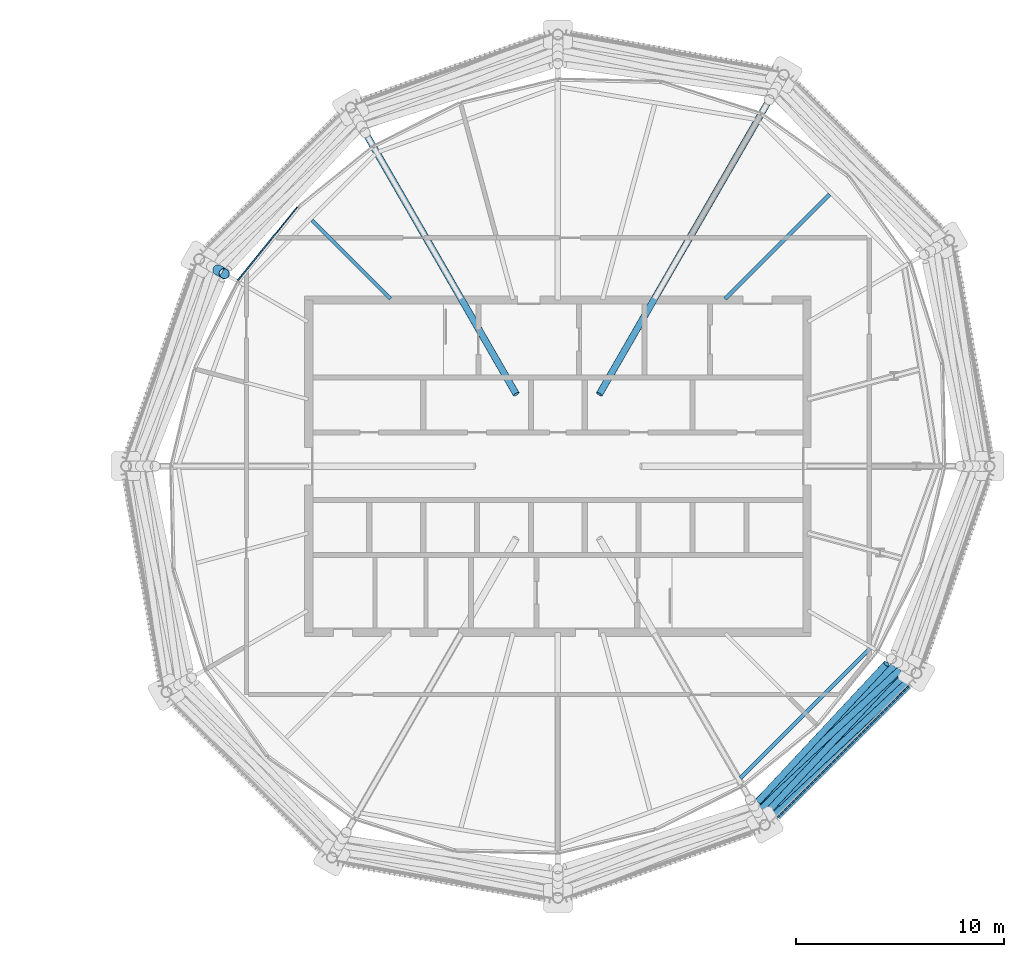
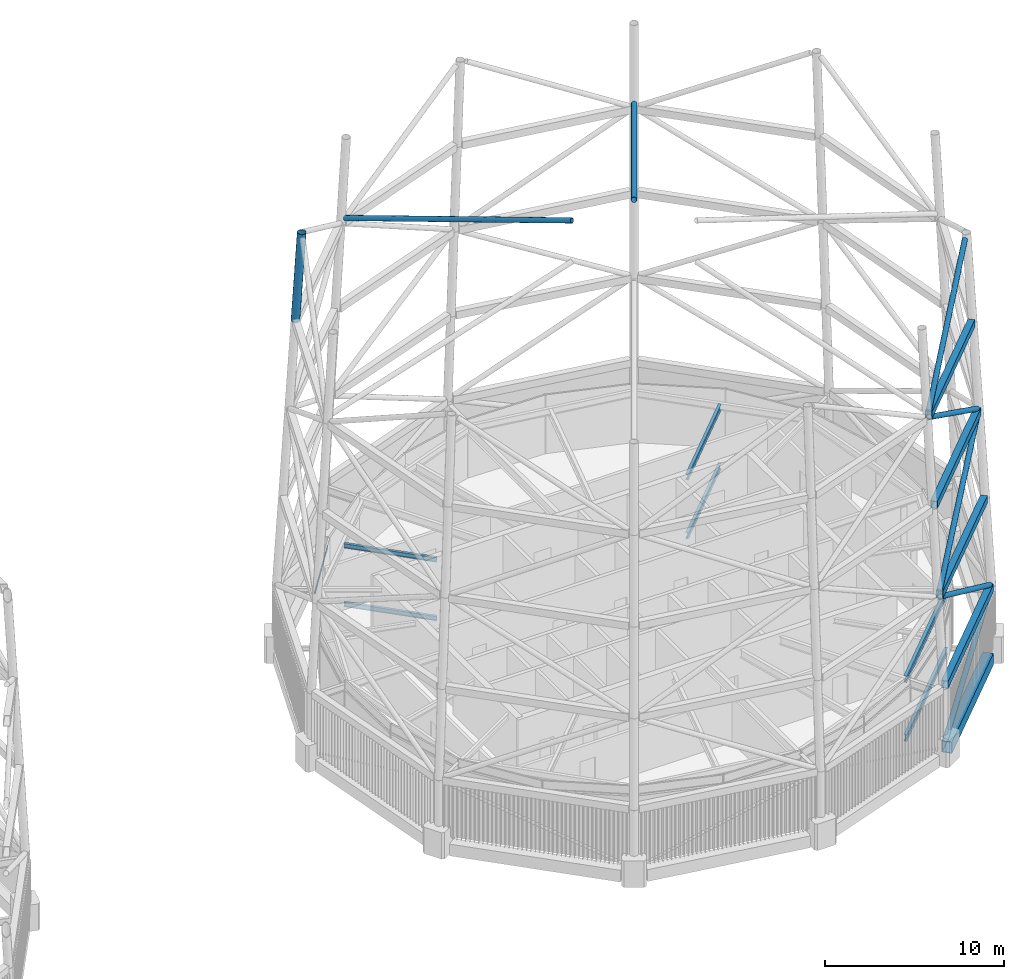
# One storey, part 48 of 71: 11 beams, 9 members, 1 element without a shape of its own.
"""IFC4 building model written with IfcOpenShell, lengths in metres."""

from ifc_helpers import new_model, si_unit, direction, frame, origin, origin_2d, place, context, subcontext, project, spatial, rectangle, hollow_rectangle, hollow_circle, i_section, extrude, material, material_profile, profile_set, type_object, element, aggregate, save


model = new_model("IFC4")

# Units and contexts
model_context = context("Model", 3, precision=1e-05, world=origin(), true_north=direction((0.0, 1.0)))
body_context = subcontext(model_context, "Body", "Model", "MODEL_VIEW")
ifc_project = project(units=[si_unit("LENGTHUNIT", "METRE"), si_unit("AREAUNIT", "SQUARE_METRE"), si_unit("VOLUMEUNIT", "CUBIC_METRE"), si_unit("PLANEANGLEUNIT", "RADIAN"), si_unit("MASSUNIT", "GRAM", prefix="KILO")], contexts=[model_context])

# Site, building, storey
site_placement = place(None, origin())
site = spatial("IfcSite", under=ifc_project, at=site_placement, CompositionType="ELEMENT")
building_placement = place(site_placement, origin())
building = spatial("IfcBuilding", under=site, at=building_placement, Name="Rimbun Link Towers", CompositionType="ELEMENT")
storey_placement = place(building_placement, frame((0.0, 0.0, 267.60009765625)))
storey = spatial("IfcBuildingStorey", under=building, at=storey_placement, Name="L65", CompositionType="ELEMENT", Elevation=267.60009765625)

# Curtain wall, member
ifc_material_1 = material(Name="Aluminium 6063-T6 louvre wall", Category="aluminium")
curtain_wall_type = type_object("IfcCurtainWallType", Name="CW6 plant floor louvre wall", PredefinedType="NOTDEFINED", material=ifc_material_1)
curtain_wall_placement = place(storey_placement, origin())
curtain_wall = element("IfcCurtainWall", 1, at=curtain_wall_placement, inside=storey, type_object=curtain_wall_type, Name="CW6 L65 T2", PredefinedType="NOTDEFINED")
ifc_material_2 = material(Name="Aluminium 6063-T6", Category="aluminium")
ifc_material_profile_1 = material_profile(ifc_material_2, rectangle(XDim=0.06005859375, YDim=0.1201171875, at=origin_2d()), Name="TRANSOM 60X120")
ifc_profile_set_1 = profile_set([ifc_material_profile_1], Name="Aluminium 6063-T6")
member_type_1 = type_object("IfcMemberType", Name="CW6 transom 60X120", PredefinedType="USERDEFINED", material=ifc_profile_set_1)
member_1_placement = place(storey_placement, frame((16.342529296875, 8.953125, 3.39990234375), z_axis=(0.629178141776, 0.777261131095, 0.0), x_axis=(-0.777261131095, 0.629178141776, 0.0)))
member_1 = element("IfcMember", 2, at=member_1_placement, type_object=member_type_1, Name="CW6 transom", ObjectType="TRANSOM", PredefinedType="USERDEFINED", context=body_context, shape_type="SweptSolid", body=[
    extrude(rectangle(XDim=0.06005859375, YDim=0.1201171875, at=origin_2d()), origin(), (0.0, 0.0, 1.0), 4.54541015625),
])
aggregate(curtain_wall, [member_1])

# Members
ifc_material_3 = material(Name="Steel S355J2H", Category="steel")
ifc_material_profile_2 = material_profile(ifc_material_3, hollow_circle(Radius=0.161865234375, WallThickness=0.011962890625, at=origin_2d()), Name="Crown frame brace CHS 324x12")
ifc_profile_set_2 = profile_set([ifc_material_profile_2], Name="Steel S355J2H")
member_type_2 = type_object("IfcMemberType", Name="Crown frame brace CHS 324x12", PredefinedType="BRACE", material=ifc_profile_set_2)
member_2_placement = place(storey_placement, frame((41.98681640625, -17.010009765625, 0.144287109375), z_axis=(0.659349152723, 0.659349152723, 0.361271905365), x_axis=(-0.707106781187, 0.707106781187, 0.0)))
element("IfcMember", 3, at=member_2_placement, inside=storey, type_object=member_type_2, Name="CROWN FRAME brace T2 1-08", PredefinedType="BRACE", context=body_context, shape_type="SweptSolid", body=[
    extrude(hollow_circle(Radius=0.161865234375, WallThickness=0.011962890625, at=origin_2d()), origin(), (0.0, 0.0, 1.0), 10.2724609375),
])
member_3_placement = place(storey_placement, frame((48.771728515625, -10.208740234375, 4.2021484375), z_axis=(-0.629887100253, -0.589631323604, 0.50554638082), x_axis=(0.68339326955, -0.730050436021, 0.0)))
element("IfcMember", 4, at=member_3_placement, inside=storey, type_object=member_type_2, Name="CROWN FRAME brace T2 2-08", PredefinedType="BRACE", context=body_context, shape_type="SweptSolid", body=[
    extrude(hollow_circle(Radius=0.161865234375, WallThickness=0.011962890625, at=origin_2d()), origin(), (0.0, 0.0, 1.0), 11.068115234375),
])
member_4_placement = place(storey_placement, frame((41.78271484375, -16.7197265625, 10.204833984375), z_axis=(0.586508399957, 0.627361512233, 0.512274760016), x_axis=(-0.730491058485, 0.682922260197, 0.0)))
element("IfcMember", 5, at=member_4_placement, inside=storey, type_object=member_type_2, Name="CROWN FRAME brace T2 3-08", PredefinedType="BRACE", context=body_context, shape_type="SweptSolid", body=[
    extrude(hollow_circle(Radius=0.161865234375, WallThickness=0.011962890625, at=origin_2d()), origin(), (0.0, 0.0, 1.0), 10.912353515625),
])
member_5_placement = place(storey_placement, frame((48.16748046875, -9.856201171875, 16.20751953125), z_axis=(-0.624656366014, -0.583327323304, 0.519166310815), x_axis=(0.682515022329, -0.730871564842, 0.0)))
element("IfcMember", 6, at=member_5_placement, inside=storey, type_object=member_type_2, Name="CROWN FRAME brace T2 4-08", PredefinedType="BRACE", context=body_context, shape_type="SweptSolid", body=[
    extrude(hollow_circle(Radius=0.161865234375, WallThickness=0.011962890625, at=origin_2d()), origin(), (0.0, 0.0, 1.0), 10.757080078125),
])
member_6_placement = place(storey_placement, frame((41.429931640625, -16.115478515625, 22.21044921875), z_axis=(0.579987642774, 0.621895595364, 0.526175068486), x_axis=(-0.731318145522, 0.682036487316, 0.0)))
element("IfcMember", 7, at=member_6_placement, inside=storey, type_object=member_type_2, Name="CROWN FRAME brace T2 5-08", PredefinedType="BRACE", context=body_context, shape_type="SweptSolid", body=[
    extrude(hollow_circle(Radius=0.161865234375, WallThickness=0.011962890625, at=origin_2d()), origin(), (0.0, 0.0, 1.0), 10.602783203125),
])
member_7_placement = place(storey_placement, frame((33.75, 3.464111328125, 27.39990234375), z_axis=(0.478779219465, 0.829273641981, -0.288228530379), x_axis=(-0.866026371934, 0.499998323111, 0.0)))
element("IfcMember", 8, at=member_7_placement, inside=storey, type_object=member_type_2, Name="CROWN FRAME hub stay T2 00", PredefinedType="BRACE", context=body_context, shape_type="SweptSolid", body=[
    extrude(hollow_circle(Radius=0.161865234375, WallThickness=0.011962890625, at=origin_2d()), origin(), (0.0, 0.0, 1.0), 17.173583984375),
])
member_8_placement = place(storey_placement, frame((29.75, 3.464111328125, 27.39990234375), z_axis=(-0.473598671188, 0.820297063954, -0.320650940304), x_axis=(-0.866025430986, -0.499999952886, 0.0)))
element("IfcMember", 9, at=member_8_placement, inside=storey, type_object=member_type_2, Name="CROWN FRAME hub stay T2 02", PredefinedType="BRACE", context=body_context, shape_type="SweptSolid", body=[
    extrude(hollow_circle(Radius=0.161865234375, WallThickness=0.011962890625, at=origin_2d()), origin(), (0.0, 0.0, 1.0), 15.437255859375),
])
ifc_material_4 = material(Name="Steel S355J2H", Category="steel")
ifc_material_profile_3 = material_profile(ifc_material_4, hollow_circle(Radius=0.25390625, WallThickness=0.02001953125, at=origin_2d()), Name="Crown frame post CHS 508x20")
ifc_profile_set_3 = profile_set([ifc_material_profile_3], Name="Steel S355J2H")
member_type_3 = type_object("IfcMemberType", Name="Crown frame post CHS 508x20", PredefinedType="POST", material=ifc_profile_set_3)
member_9_placement = place(storey_placement, frame((15.385498046875, 9.447998046875, 22.0), z_axis=(0.050451284808, -0.029125258621, 0.998301751562), x_axis=(0.49996389635, 0.866046247233, 0.0)))
element("IfcMember", 10, at=member_9_placement, inside=storey, type_object=member_type_3, Name="CROWN FRAME post T2 5-03", PredefinedType="POST", context=body_context, shape_type="SweptSolid", body=[
    extrude(hollow_circle(Radius=0.25390625, WallThickness=0.02001953125, at=origin_2d()), origin(), (0.0, 0.0, 1.0), 6.01025390625),
])

# Beams
ifc_material_5 = material(Name="Steel S355J2", Category="steel")
ifc_material_profile_4 = material_profile(ifc_material_5, hollow_rectangle(XDim=0.39990234375, YDim=0.5, WallThickness=0.02001953125, at=origin_2d()), Name="Crown frame ring beam BOX 400x500x20")
ifc_profile_set_4 = profile_set([ifc_material_profile_4], Name="Steel S355J2")
beam_type_1 = type_object("IfcBeamType", Name="Crown frame ring beam BOX 400x500x20", PredefinedType="BEAM", material=ifc_profile_set_4)
beam_1_placement = place(storey_placement, frame((41.902587890625, -17.093994140625, 4.0), z_axis=(0.707106781187, 0.707106781187, 0.0), x_axis=(-0.707106781187, 0.707106781187, 0.0)))
element("IfcBeam", 11, at=beam_1_placement, inside=storey, type_object=beam_type_1, Name="CROWN FRAME ring beam T2 1-08", PredefinedType="BEAM", context=body_context, shape_type="SweptSolid", body=[
    extrude(hollow_rectangle(XDim=0.39990234375, YDim=0.5, WallThickness=0.02001953125, at=origin_2d()), origin(), (0.0, 0.0, 1.0), 9.816650390625),
])
beam_2_placement = place(storey_placement, frame((41.7275390625, -16.791015625, 10.0), z_axis=(0.707106781187, 0.707106781187, 0.0), x_axis=(-0.707106781187, 0.707106781187, 0.0)))
element("IfcBeam", 12, at=beam_2_placement, inside=storey, type_object=beam_type_1, Name="CROWN FRAME ring beam T2 2-08", PredefinedType="BEAM", context=body_context, shape_type="SweptSolid", body=[
    extrude(hollow_rectangle(XDim=0.39990234375, YDim=0.5, WallThickness=0.02001953125, at=origin_2d()), origin(), (0.0, 0.0, 1.0), 9.6357421875),
])
beam_3_placement = place(storey_placement, frame((41.552490234375, -16.48779296875, 16.0), z_axis=(0.707106781187, 0.707106781187, 0.0), x_axis=(-0.707106781187, 0.707106781187, 0.0)))
element("IfcBeam", 13, at=beam_3_placement, inside=storey, type_object=beam_type_1, Name="CROWN FRAME ring beam T2 3-08", PredefinedType="BEAM", context=body_context, shape_type="SweptSolid", body=[
    extrude(hollow_rectangle(XDim=0.39990234375, YDim=0.5, WallThickness=0.02001953125, at=origin_2d()), origin(), (0.0, 0.0, 1.0), 9.454345703125),
])
beam_4_placement = place(storey_placement, frame((41.377685546875, -16.184814453125, 22.0), z_axis=(0.707106781187, 0.707106781187, 0.0), x_axis=(-0.707106781187, 0.707106781187, 0.0)))
element("IfcBeam", 14, at=beam_4_placement, inside=storey, type_object=beam_type_1, Name="CROWN FRAME ring beam T2 4-08", PredefinedType="BEAM", context=body_context, shape_type="SweptSolid", body=[
    extrude(hollow_rectangle(XDim=0.39990234375, YDim=0.5, WallThickness=0.02001953125, at=origin_2d()), origin(), (0.0, 0.0, 1.0), 9.273193359375),
])
ifc_material_6 = material(Name="Steel S355J2", Category="steel")
ifc_material_profile_5 = material_profile(ifc_material_6, hollow_rectangle(XDim=0.60009765625, YDim=0.800048828125, WallThickness=0.0400390625, at=origin_2d()), Name="Exoskeleton ring girder BOX 600x800x40")
ifc_profile_set_5 = profile_set([ifc_material_profile_5], Name="Steel S355J2")
beam_type_2 = type_object("IfcBeamType", Name="Exoskeleton ring girder BOX 600x800x40", PredefinedType="BEAM", material=ifc_profile_set_5)
beam_5_placement = place(storey_placement, frame((42.218017578125, -16.77880859375, -0.56005859375), z_axis=(0.707106781187, 0.707106781187, 0.0), x_axis=(-0.707106781187, 0.707106781187, 0.0)))
element("IfcBeam", 15, at=beam_5_placement, inside=storey, type_object=beam_type_2, Name="Exoskeleton ring girder L65 08", PredefinedType="BEAM", context=body_context, shape_type="SweptSolid", body=[
    extrude(hollow_rectangle(XDim=0.60009765625, YDim=0.800048828125, WallThickness=0.0400390625, at=origin_2d()), origin(), (0.0, 0.0, 1.0), 8.9248046875),
])
ifc_material_7 = material(Name="Steel S355J2", Category="steel")
ifc_material_profile_6 = material_profile(ifc_material_7, i_section(OverallWidth=0.1650390625, OverallDepth=0.303466796875, WebThickness=0.006103515625, FlangeThickness=0.01025390625, at=origin_2d()), Name="UB 305x165x40")
ifc_profile_set_6 = profile_set([ifc_material_profile_6], Name="Steel S355J2")
beam_type_3 = type_object("IfcBeamType", Name="UB 305x165x40", PredefinedType="BEAM", material=ifc_profile_set_6)
for number, where, z_axis, x_axis, name in (
    (16, (23.69091796875, 8.05908203125, -0.351806640625), (-0.707106781187, 0.707106781187, 0.0), (-0.707106781187, -0.707106781187, 0.0), "Radial beam T2 L65 06"),
    (17, (23.69091796875, 8.05908203125, 3.648193359375), (-0.707106781187, 0.707106781187, 0.0), (-0.707106781187, -0.707106781187, 0.0), "Radial beam T2 L65 06"),
):
    element("IfcBeam", number, at=place(storey_placement, frame(where, z_axis=z_axis, x_axis=x_axis)), inside=storey, type_object=beam_type_3, Name=name, PredefinedType="BEAM", context=body_context, shape_type="SweptSolid", body=[
        extrude(i_section(OverallWidth=0.1650390625, OverallDepth=0.303466796875, WebThickness=0.006103515625, FlangeThickness=0.01025390625, at=origin_2d()), origin(), (0.0, 0.0, 1.0), 5.35546875),
    ])
ifc_material_8 = material(Name="Steel S355J2", Category="steel")
ifc_material_profile_7 = material_profile(ifc_material_8, i_section(OverallWidth=0.177978515625, OverallDepth=0.406494140625, WebThickness=0.0078125, FlangeThickness=0.0126953125, at=origin_2d()), Name="UB 406x178x60")
ifc_profile_set_7 = profile_set([ifc_material_profile_7], Name="Steel S355J2")
beam_type_4 = type_object("IfcBeamType", Name="UB 406x178x60", PredefinedType="BEAM", material=ifc_profile_set_7)
for number, where, z_axis, x_axis, name in (
    (18, (39.813720703125, 8.063720703125, -0.4033203125), (0.707106781187, 0.707106781187, 0.0), (-0.707106781187, 0.707106781187, 0.0), "Radial beam T2 L65 00"),
    (19, (39.813720703125, 8.063720703125, 3.5966796875), (0.707106781187, 0.707106781187, 0.0), (-0.707106781187, 0.707106781187, 0.0), "Radial beam T2 L65 00"),
):
    element("IfcBeam", number, at=place(storey_placement, frame(where, z_axis=z_axis, x_axis=x_axis)), inside=storey, type_object=beam_type_4, Name=name, PredefinedType="BEAM", context=body_context, shape_type="SweptSolid", body=[
        extrude(i_section(OverallWidth=0.177978515625, OverallDepth=0.406494140625, WebThickness=0.0078125, FlangeThickness=0.0126953125, at=origin_2d()), origin(), (0.0, 0.0, 1.0), 7.10693359375),
    ])
ifc_material_9 = material(Name="Steel S355J2", Category="steel")
ifc_material_profile_8 = material_profile(ifc_material_9, i_section(OverallWidth=0.18994140625, OverallDepth=0.453369140625, WebThickness=0.008544921875, FlangeThickness=0.0126953125, at=origin_2d()), Name="UB 457x191x67")
ifc_profile_set_8 = profile_set([ifc_material_profile_8], Name="Steel S355J2")
beam_type_5 = type_object("IfcBeamType", Name="UB 457x191x67", PredefinedType="BEAM", material=ifc_profile_set_8)
for number, where, z_axis, x_axis, name in (
    (20, (40.548828125, -15.02880859375, -0.4267578125), (0.707106781187, 0.707106781187, 0.0), (-0.707106781187, 0.707106781187, 0.0), "Edge beam T2 L65 17-19"),
    (21, (40.548828125, -15.02880859375, 3.5732421875), (0.707106781187, 0.707106781187, 0.0), (-0.707106781187, 0.707106781187, 0.0), "Edge beam T2 L65 17-19"),
):
    element("IfcBeam", number, at=place(storey_placement, frame(where, z_axis=z_axis, x_axis=x_axis)), inside=storey, type_object=beam_type_5, Name=name, PredefinedType="BEAM", context=body_context, shape_type="SweptSolid", body=[
        extrude(i_section(OverallWidth=0.18994140625, OverallDepth=0.453369140625, WebThickness=0.008544921875, FlangeThickness=0.0126953125, at=origin_2d()), origin(), (0.0, 0.0, 1.0), 8.833251953125),
    ])

save(model, "model.ifc")
